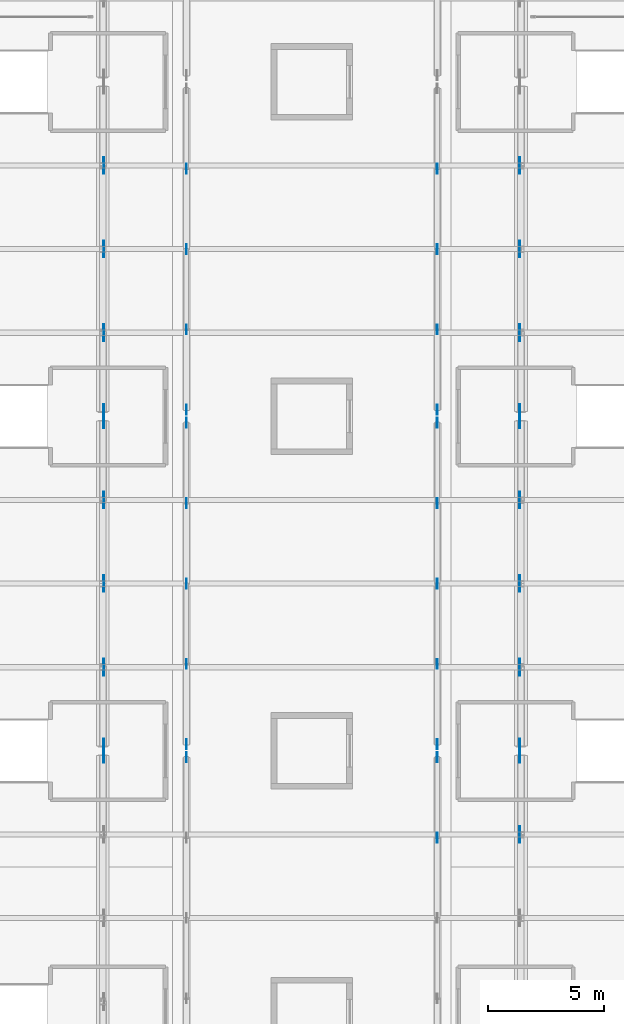
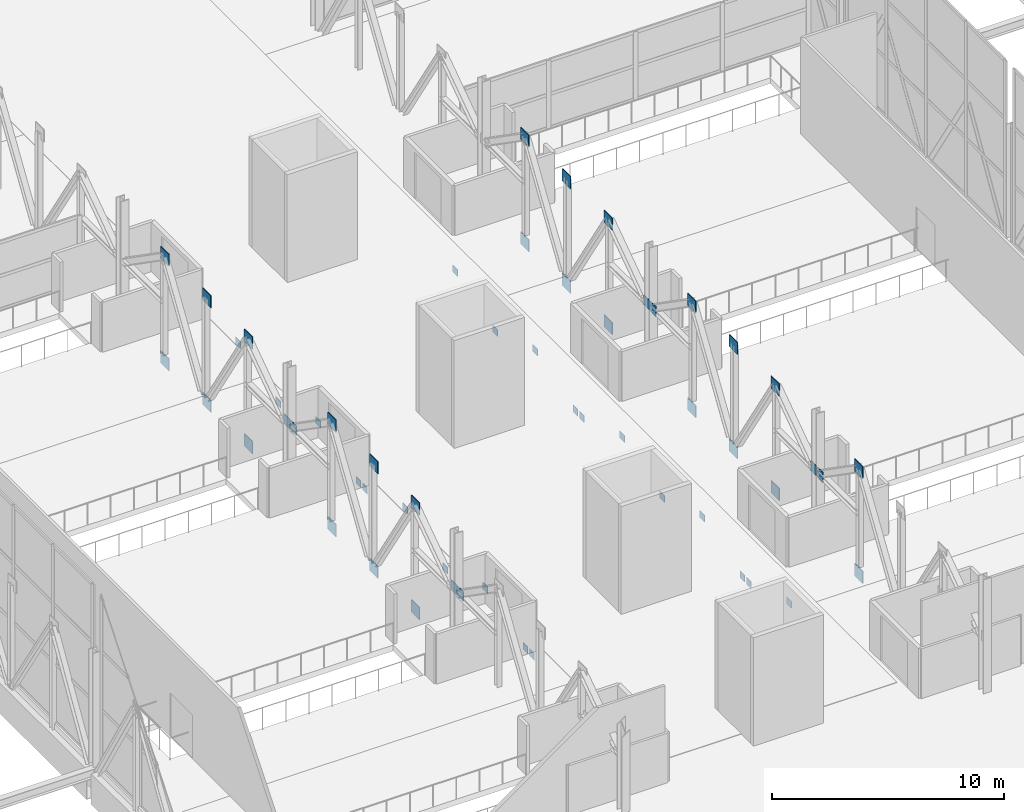
# One storey, part 162 of 191: 55 plates.
"""IFC4 building model written with IfcOpenShell, lengths in metres."""

from ifc_helpers import new_model, si_unit, direction, frame, origin, origin_2d, place, context, subcontext, project, spatial, rectangle, extrude, material, layer, layer_set, type_object, element, save


model = new_model("IFC4")

# Units and contexts
model_context = context("Model", 3, precision=1e-05, world=origin(), true_north=direction((0.0, 1.0)))
body_context = subcontext(model_context, "Body", "Model", "MODEL_VIEW")
ifc_project = project(units=[si_unit("LENGTHUNIT", "METRE"), si_unit("AREAUNIT", "SQUARE_METRE"), si_unit("VOLUMEUNIT", "CUBIC_METRE"), si_unit("PLANEANGLEUNIT", "RADIAN"), si_unit("MASSUNIT", "GRAM", prefix="KILO")], contexts=[model_context])

# Site, building, storey
site_placement = place(None, origin())
site = spatial("IfcSite", under=ifc_project, at=site_placement, CompositionType="ELEMENT")
building_placement = place(site_placement, origin())
building = spatial("IfcBuilding", under=site, at=building_placement, Name="Tamarisk Ironworks Central Station", CompositionType="ELEMENT")
storey_placement = place(building_placement, frame((0.0, 0.0, 6.60009765625)))
storey = spatial("IfcBuildingStorey", under=building, at=storey_placement, Name="L01", CompositionType="ELEMENT", Elevation=6.60009765625)

# Plates
ifc_material_1 = material(Name="Structural steel S355J2H", Category="steel")
ifc_layer_1 = layer(ifc_material_1, 0.02587890625)
ifc_layer_set_1 = layer_set([ifc_layer_1], Name="Structural steel S355J2H")
plate_type_1 = type_object("IfcPlateType", Name="PL-ND26", PredefinedType="SHEET", material=ifc_layer_set_1)
for number, where, z_axis, x_axis, name in (
    (1, (75.60009765625, 35.719970703125, -1.8203125), (0.0, 0.0, 1.0), (1.0, 0.0, 0.0), "Bridge deck stiffening brace gusset plate 153"),
    (2, (75.60009765625, 36.280029296875, -1.8203125), (0.0, 0.0, 1.0), (1.0, 0.0, 0.0), "Bridge deck stiffening brace gusset plate 154"),
    (3, (75.60009765625, 39.739990234375, -0.76025390625), (0.0, 0.0, 1.0), (1.0, 0.0, 0.0), "Bridge deck stiffening brace gusset plate 155"),
    (4, (75.60009765625, 43.199951171875, -1.8203125), (0.0, 0.0, 1.0), (1.0, 0.0, 0.0), "Bridge deck stiffening brace gusset plate 156"),
    (5, (75.60009765625, 46.659912109375, -0.76025390625), (0.0, 0.0, 1.0), (1.0, 0.0, 0.0), "Bridge deck stiffening brace gusset plate 157"),
    (6, (75.60009765625, 50.1201171875, -1.8203125), (0.0, 0.0, 1.0), (1.0, 0.0, 0.0), "Bridge deck stiffening brace gusset plate 158"),
    (7, (75.60009765625, 50.679931640625, -1.8203125), (0.0, 0.0, 1.0), (1.0, 0.0, 0.0), "Bridge deck stiffening brace gusset plate 159"),
    (8, (75.60009765625, 54.139892578125, -0.76025390625), (0.0, 0.0, 1.0), (1.0, 0.0, 0.0), "Bridge deck stiffening brace gusset plate 160"),
    (9, (75.60009765625, 57.60009765625, -1.8203125), (0.0, 0.0, 1.0), (1.0, 0.0, 0.0), "Bridge deck stiffening brace gusset plate 161"),
    (10, (75.60009765625, 61.06005859375, -0.76025390625), (0.0, 0.0, 1.0), (1.0, 0.0, 0.0), "Bridge deck stiffening brace gusset plate 162"),
    (11, (86.39990234375, 32.260009765625, -0.76025390625), (0.0, 0.0, 1.0), (1.0, 0.0, 0.0), "Bridge deck stiffening brace gusset plate 172"),
    (12, (86.39990234375, 35.719970703125, -1.8203125), (0.0, 0.0, 1.0), (1.0, 0.0, 0.0), "Bridge deck stiffening brace gusset plate 173"),
    (13, (86.39990234375, 36.280029296875, -1.8203125), (0.0, 0.0, 1.0), (1.0, 0.0, 0.0), "Bridge deck stiffening brace gusset plate 174"),
    (14, (86.39990234375, 39.739990234375, -0.76025390625), (0.0, 0.0, 1.0), (1.0, 0.0, 0.0), "Bridge deck stiffening brace gusset plate 175"),
    (15, (86.39990234375, 43.199951171875, -1.8203125), (0.0, 0.0, 1.0), (1.0, 0.0, 0.0), "Bridge deck stiffening brace gusset plate 176"),
    (16, (86.39990234375, 46.659912109375, -0.76025390625), (0.0, 0.0, 1.0), (1.0, 0.0, 0.0), "Bridge deck stiffening brace gusset plate 177"),
    (17, (86.39990234375, 50.1201171875, -1.8203125), (0.0, 0.0, 1.0), (1.0, 0.0, 0.0), "Bridge deck stiffening brace gusset plate 178"),
    (18, (86.39990234375, 50.679931640625, -1.8203125), (0.0, 0.0, 1.0), (1.0, 0.0, 0.0), "Bridge deck stiffening brace gusset plate 179"),
    (19, (86.39990234375, 54.139892578125, -0.76025390625), (0.0, 0.0, 1.0), (1.0, 0.0, 0.0), "Bridge deck stiffening brace gusset plate 180"),
    (20, (86.39990234375, 57.60009765625, -1.8203125), (0.0, 0.0, 1.0), (1.0, 0.0, 0.0), "Bridge deck stiffening brace gusset plate 181"),
    (21, (86.39990234375, 61.06005859375, -0.76025390625), (0.0, 0.0, 1.0), (1.0, 0.0, 0.0), "Bridge deck stiffening brace gusset plate 182"),
):
    element("IfcPlate", number, at=place(storey_placement, frame(where, z_axis=z_axis, x_axis=x_axis)), inside=storey, type_object=plate_type_1, Name=name, PredefinedType="SHEET", context=body_context, shape_type="SweptSolid", body=[
        extrude(rectangle(XDim=0.02587890625, YDim=0.419921875, at=origin_2d()), origin(), (0.0, 0.0, 1.0), 0.360107421875),
    ])
ifc_material_2 = material(Name="Structural steel S355J2", Category="steel")
ifc_layer_2 = layer(ifc_material_2, 0.0380859375)
ifc_layer_set_2 = layer_set([ifc_layer_2], Name="Structural steel S355J2")
plate_type_2 = type_object("IfcPlateType", Name="PL-ND38", PredefinedType="SHEET", material=ifc_layer_set_2)
plate_1_placement = place(storey_placement, frame((72.044921875, 35.719970703125, 2.539794921875), z_axis=(0.0, 0.0, 1.0), x_axis=(1.0, 0.0, 0.0)))
element("IfcPlate", 22, at=plate_1_placement, inside=storey, type_object=plate_type_2, Name="Transfer truss end gusset node plate 040", PredefinedType="SHEET", context=body_context, shape_type="SweptSolid", body=[
    extrude(rectangle(XDim=0.0380859375, YDim=0.47998046875, at=origin_2d()), origin(), (0.0, 0.0, 1.0), 0.52001953125),
])
for number, where, z_axis, x_axis, name in (
    (23, (72.044921875, 39.60009765625, -0.7001953125), (0.0, 0.0, 1.0), (1.0, 0.0, 0.0), "Transfer truss gusset node plate 041"),
    (24, (72.044921875, 39.60009765625, 4.7998046875), (0.0, 0.0, 1.0), (1.0, 0.0, 0.0), "Transfer truss gusset node plate 042"),
    (25, (72.044921875, 43.199951171875, -0.7001953125), (0.0, 0.0, 1.0), (1.0, 0.0, 0.0), "Transfer truss gusset node plate 043"),
    (26, (72.044921875, 43.199951171875, 4.7998046875), (0.0, 0.0, 1.0), (1.0, 0.0, 0.0), "Transfer truss gusset node plate 044"),
    (27, (72.044921875, 46.800048828125, -0.7001953125), (0.0, 0.0, 1.0), (1.0, 0.0, 0.0), "Transfer truss gusset node plate 045"),
    (28, (72.044921875, 46.800048828125, 4.7998046875), (0.0, 0.0, 1.0), (1.0, 0.0, 0.0), "Transfer truss gusset node plate 046"),
):
    element("IfcPlate", number, at=place(storey_placement, frame(where, z_axis=z_axis, x_axis=x_axis)), inside=storey, type_object=plate_type_2, Name=name, PredefinedType="SHEET", context=body_context, shape_type="SweptSolid", body=[
        extrude(rectangle(XDim=0.0380859375, YDim=0.719970703125, at=origin_2d()), origin(), (0.0, 0.0, 1.0), 0.639892578125),
    ])
for number, where, z_axis, x_axis, name in (
    (29, (72.044921875, 36.280029296875, 2.539794921875), (0.0, 0.0, 1.0), (1.0, 0.0, 0.0), "Transfer truss end gusset node plate 047"),
    (30, (72.044921875, 50.1201171875, 2.539794921875), (0.0, 0.0, 1.0), (1.0, 0.0, 0.0), "Transfer truss end gusset node plate 048"),
):
    element("IfcPlate", number, at=place(storey_placement, frame(where, z_axis=z_axis, x_axis=x_axis)), inside=storey, type_object=plate_type_2, Name=name, PredefinedType="SHEET", context=body_context, shape_type="SweptSolid", body=[
        extrude(rectangle(XDim=0.0380859375, YDim=0.47998046875, at=origin_2d()), origin(), (0.0, 0.0, 1.0), 0.52001953125),
    ])
for number, where, z_axis, x_axis, name in (
    (31, (72.044921875, 54.0, -0.7001953125), (0.0, 0.0, 1.0), (1.0, 0.0, 0.0), "Transfer truss gusset node plate 049"),
    (32, (72.044921875, 54.0, 4.7998046875), (0.0, 0.0, 1.0), (1.0, 0.0, 0.0), "Transfer truss gusset node plate 050"),
    (33, (72.044921875, 57.60009765625, -0.7001953125), (0.0, 0.0, 1.0), (1.0, 0.0, 0.0), "Transfer truss gusset node plate 051"),
    (34, (72.044921875, 57.60009765625, 4.7998046875), (0.0, 0.0, 1.0), (1.0, 0.0, 0.0), "Transfer truss gusset node plate 052"),
    (35, (72.044921875, 61.199951171875, -0.7001953125), (0.0, 0.0, 1.0), (1.0, 0.0, 0.0), "Transfer truss gusset node plate 053"),
    (36, (72.044921875, 61.199951171875, 4.7998046875), (0.0, 0.0, 1.0), (1.0, 0.0, 0.0), "Transfer truss gusset node plate 054"),
):
    element("IfcPlate", number, at=place(storey_placement, frame(where, z_axis=z_axis, x_axis=x_axis)), inside=storey, type_object=plate_type_2, Name=name, PredefinedType="SHEET", context=body_context, shape_type="SweptSolid", body=[
        extrude(rectangle(XDim=0.0380859375, YDim=0.719970703125, at=origin_2d()), origin(), (0.0, 0.0, 1.0), 0.639892578125),
    ])
plate_2_placement = place(storey_placement, frame((72.044921875, 50.679931640625, 2.539794921875), z_axis=(0.0, 0.0, 1.0), x_axis=(1.0, 0.0, 0.0)))
element("IfcPlate", 37, at=plate_2_placement, inside=storey, type_object=plate_type_2, Name="Transfer truss end gusset node plate 055", PredefinedType="SHEET", context=body_context, shape_type="SweptSolid", body=[
    extrude(rectangle(XDim=0.0380859375, YDim=0.47998046875, at=origin_2d()), origin(), (0.0, 0.0, 1.0), 0.52001953125),
])
for number, where, z_axis, x_axis, name in (
    (38, (89.955078125, 32.39990234375, -0.7001953125), (0.0, 0.0, 1.0), (1.0, 0.0, 0.0), "Transfer truss gusset node plate 069"),
    (39, (89.955078125, 32.39990234375, 4.7998046875), (0.0, 0.0, 1.0), (1.0, 0.0, 0.0), "Transfer truss gusset node plate 070"),
):
    element("IfcPlate", number, at=place(storey_placement, frame(where, z_axis=z_axis, x_axis=x_axis)), inside=storey, type_object=plate_type_2, Name=name, PredefinedType="SHEET", context=body_context, shape_type="SweptSolid", body=[
        extrude(rectangle(XDim=0.0380859375, YDim=0.719970703125, at=origin_2d()), origin(), (0.0, 0.0, 1.0), 0.639892578125),
    ])
plate_3_placement = place(storey_placement, frame((89.955078125, 35.719970703125, 2.539794921875), z_axis=(0.0, 0.0, 1.0), x_axis=(1.0, 0.0, 0.0)))
element("IfcPlate", 40, at=plate_3_placement, inside=storey, type_object=plate_type_2, Name="Transfer truss end gusset node plate 072", PredefinedType="SHEET", context=body_context, shape_type="SweptSolid", body=[
    extrude(rectangle(XDim=0.0380859375, YDim=0.47998046875, at=origin_2d()), origin(), (0.0, 0.0, 1.0), 0.52001953125),
])
for number, where, z_axis, x_axis, name in (
    (41, (89.955078125, 39.60009765625, -0.7001953125), (0.0, 0.0, 1.0), (1.0, 0.0, 0.0), "Transfer truss gusset node plate 073"),
    (42, (89.955078125, 39.60009765625, 4.7998046875), (0.0, 0.0, 1.0), (1.0, 0.0, 0.0), "Transfer truss gusset node plate 074"),
    (43, (89.955078125, 43.199951171875, -0.7001953125), (0.0, 0.0, 1.0), (1.0, 0.0, 0.0), "Transfer truss gusset node plate 075"),
    (44, (89.955078125, 43.199951171875, 4.7998046875), (0.0, 0.0, 1.0), (1.0, 0.0, 0.0), "Transfer truss gusset node plate 076"),
    (45, (89.955078125, 46.800048828125, -0.7001953125), (0.0, 0.0, 1.0), (1.0, 0.0, 0.0), "Transfer truss gusset node plate 077"),
    (46, (89.955078125, 46.800048828125, 4.7998046875), (0.0, 0.0, 1.0), (1.0, 0.0, 0.0), "Transfer truss gusset node plate 078"),
):
    element("IfcPlate", number, at=place(storey_placement, frame(where, z_axis=z_axis, x_axis=x_axis)), inside=storey, type_object=plate_type_2, Name=name, PredefinedType="SHEET", context=body_context, shape_type="SweptSolid", body=[
        extrude(rectangle(XDim=0.0380859375, YDim=0.719970703125, at=origin_2d()), origin(), (0.0, 0.0, 1.0), 0.639892578125),
    ])
for number, where, z_axis, x_axis, name in (
    (47, (89.955078125, 36.280029296875, 2.539794921875), (0.0, 0.0, 1.0), (1.0, 0.0, 0.0), "Transfer truss end gusset node plate 079"),
    (48, (89.955078125, 50.1201171875, 2.539794921875), (0.0, 0.0, 1.0), (1.0, 0.0, 0.0), "Transfer truss end gusset node plate 080"),
):
    element("IfcPlate", number, at=place(storey_placement, frame(where, z_axis=z_axis, x_axis=x_axis)), inside=storey, type_object=plate_type_2, Name=name, PredefinedType="SHEET", context=body_context, shape_type="SweptSolid", body=[
        extrude(rectangle(XDim=0.0380859375, YDim=0.47998046875, at=origin_2d()), origin(), (0.0, 0.0, 1.0), 0.52001953125),
    ])
for number, where, z_axis, x_axis, name in (
    (49, (89.955078125, 54.0, -0.7001953125), (0.0, 0.0, 1.0), (1.0, 0.0, 0.0), "Transfer truss gusset node plate 081"),
    (50, (89.955078125, 54.0, 4.7998046875), (0.0, 0.0, 1.0), (1.0, 0.0, 0.0), "Transfer truss gusset node plate 082"),
    (51, (89.955078125, 57.60009765625, -0.7001953125), (0.0, 0.0, 1.0), (1.0, 0.0, 0.0), "Transfer truss gusset node plate 083"),
    (52, (89.955078125, 57.60009765625, 4.7998046875), (0.0, 0.0, 1.0), (1.0, 0.0, 0.0), "Transfer truss gusset node plate 084"),
    (53, (89.955078125, 61.199951171875, -0.7001953125), (0.0, 0.0, 1.0), (1.0, 0.0, 0.0), "Transfer truss gusset node plate 085"),
    (54, (89.955078125, 61.199951171875, 4.7998046875), (0.0, 0.0, 1.0), (1.0, 0.0, 0.0), "Transfer truss gusset node plate 086"),
):
    element("IfcPlate", number, at=place(storey_placement, frame(where, z_axis=z_axis, x_axis=x_axis)), inside=storey, type_object=plate_type_2, Name=name, PredefinedType="SHEET", context=body_context, shape_type="SweptSolid", body=[
        extrude(rectangle(XDim=0.0380859375, YDim=0.719970703125, at=origin_2d()), origin(), (0.0, 0.0, 1.0), 0.639892578125),
    ])
plate_4_placement = place(storey_placement, frame((89.955078125, 50.679931640625, 2.539794921875), z_axis=(0.0, 0.0, 1.0), x_axis=(1.0, 0.0, 0.0)))
element("IfcPlate", 55, at=plate_4_placement, inside=storey, type_object=plate_type_2, Name="Transfer truss end gusset node plate 087", PredefinedType="SHEET", context=body_context, shape_type="SweptSolid", body=[
    extrude(rectangle(XDim=0.0380859375, YDim=0.47998046875, at=origin_2d()), origin(), (0.0, 0.0, 1.0), 0.52001953125),
])

save(model, "model.ifc")
